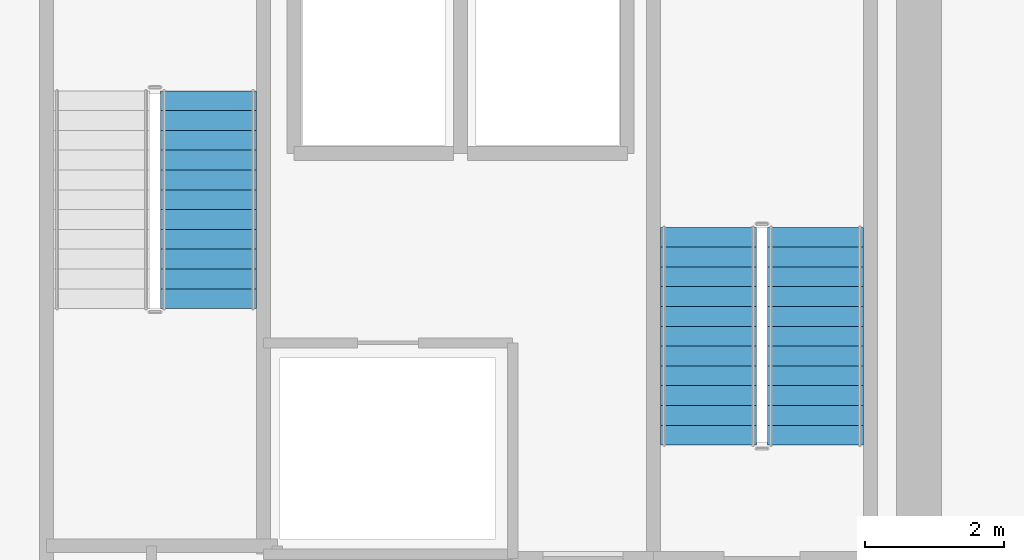
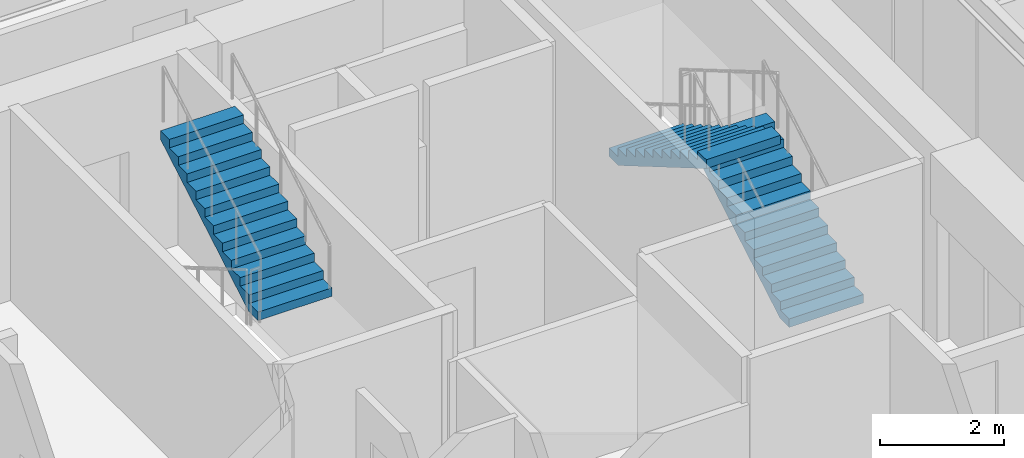
# One storey, part 18 of 23: 3 stair flights, 2 elements without a shape of their own.
"""IFC4 building model written with IfcOpenShell, lengths in metres."""

from ifc_helpers import new_model, si_unit, direction, frame, origin, place, context, subcontext, project, spatial, polyline, outline, extrude, material, type_object, element, aggregate, save


model = new_model("IFC4")

# Units and contexts
model_context = context("Model", 3, precision=1e-05, world=origin(), true_north=direction((0.0, 1.0)))
body_context = subcontext(model_context, "Body", "Model", "MODEL_VIEW")
ifc_project = project(units=[si_unit("LENGTHUNIT", "METRE"), si_unit("AREAUNIT", "SQUARE_METRE"), si_unit("VOLUMEUNIT", "CUBIC_METRE"), si_unit("PLANEANGLEUNIT", "RADIAN"), si_unit("MASSUNIT", "GRAM", prefix="KILO")], contexts=[model_context])

# Site, building, storey
site_placement = place(None, origin())
site = spatial("IfcSite", under=ifc_project, at=site_placement, CompositionType="ELEMENT")
building_placement = place(site_placement, origin())
building = spatial("IfcBuilding", under=site, at=building_placement, Name="Kovane Verandah Tower", CompositionType="ELEMENT")
storey_placement = place(building_placement, frame((0.0, 0.0, 55.60009765625)))
storey = spatial("IfcBuildingStorey", under=building, at=storey_placement, Name="L12", CompositionType="ELEMENT", Elevation=55.60009765625)

# Stair, stair flights
ifc_material = material(Name="Concrete C45/55", Category="concrete")
stair_type = type_object("IfcStairType", Name="ST-CORE-1380", PredefinedType="HALF_TURN_STAIR", material=ifc_material)
stair_1_placement = place(storey_placement, origin())
stair_1 = element("IfcStair", 1, at=stair_1_placement, inside=storey, type_object=stair_type, Name="L12 Exit Stair ST-02", PredefinedType="HALF_TURN_STAIR")
stair_flight_type = type_object("IfcStairFlightType", Name="STF-CORE-1380", PredefinedType="STRAIGHT", material=ifc_material)
stair_flight_1_placement = place(storey_placement, frame((49.510009765625, 29.25, 0.0), z_axis=(0.0, 0.0, 1.0), x_axis=(0.0, 1.0, 0.0)))
stair_flight_1 = element("IfcStairFlight", 2, at=stair_flight_1_placement, type_object=stair_flight_type, Name="ST-02 flight 1", NumberOfRisers=12, NumberOfTreads=11, PredefinedType="STRAIGHT", RiserHeight=0.166666667, TreadLength=0.285, context=body_context, shape_type="SweptSolid", body=[
    extrude(outline(polyline([(0.0, 0.0), (0.0, 0.166748046875), (0.284912109375, 0.166748046875), (0.284912109375, 0.333251953125), (0.570068359375, 0.333251953125), (0.570068359375, 0.5), (0.85498046875, 0.5), (0.85498046875, 0.666748046875), (1.139892578125, 0.666748046875), (1.139892578125, 0.833251953125), (1.425048828125, 0.833251953125), (1.425048828125, 1.0), (1.7099609375, 1.0), (1.7099609375, 1.166748046875), (1.9951171875, 1.166748046875), (1.9951171875, 1.333251953125), (2.280029296875, 1.333251953125), (2.280029296875, 1.5), (2.56494140625, 1.5), (2.56494140625, 1.666748046875), (2.85009765625, 1.666748046875), (2.85009765625, 1.833251953125), (3.135009765625, 1.833251953125), (3.135009765625, 2.0), (3.135009765625, 1.65966796875), (0.296875, 0.0), (0.0, 0.0)])), frame((0.0, 0.68994140625, 0.0), z_axis=(0.0, -1.0, 0.0), x_axis=(1.0, 0.0, 0.0)), (0.0, 0.0, 1.0), 1.3798828125),
])
stair_flight_2_placement = place(storey_placement, frame((47.969970703125, 32.385009765625, 2.0), z_axis=(0.0, 0.0, 1.0), x_axis=(0.0, -1.0, 0.0)))
stair_flight_2 = element("IfcStairFlight", 3, at=stair_flight_2_placement, type_object=stair_flight_type, Name="ST-02 flight 2", NumberOfRisers=12, NumberOfTreads=11, PredefinedType="STRAIGHT", RiserHeight=0.166666667, TreadLength=0.285, context=body_context, shape_type="SweptSolid", body=[
    extrude(outline(polyline([(0.0, 0.0), (0.0, 0.166748046875), (0.284912109375, 0.166748046875), (0.284912109375, 0.333251953125), (0.570068359375, 0.333251953125), (0.570068359375, 0.5), (0.85498046875, 0.5), (0.85498046875, 0.666748046875), (1.139892578125, 0.666748046875), (1.139892578125, 0.833251953125), (1.425048828125, 0.833251953125), (1.425048828125, 1.0), (1.7099609375, 1.0), (1.7099609375, 1.166748046875), (1.9951171875, 1.166748046875), (1.9951171875, 1.333251953125), (2.280029296875, 1.333251953125), (2.280029296875, 1.5), (2.56494140625, 1.5), (2.56494140625, 1.666748046875), (2.85009765625, 1.666748046875), (2.85009765625, 1.833251953125), (3.135009765625, 1.833251953125), (3.135009765625, 2.0), (3.135009765625, 1.65966796875), (0.296875, 0.0), (0.0, 0.0)])), frame((0.0, 0.68994140625, 0.0), z_axis=(0.0, -1.0, 0.0), x_axis=(1.0, 0.0, 0.0)), (0.0, 0.0, 1.0), 1.3798828125),
])
aggregate(stair_1, [stair_flight_1, stair_flight_2])

# Stair, stair flight
stair_2_placement = place(storey_placement, origin())
stair_2 = element("IfcStair", 4, at=stair_2_placement, inside=storey, type_object=stair_type, Name="L12 Exit Stair ST-03", PredefinedType="HALF_TURN_STAIR")
stair_flight_3_placement = place(storey_placement, frame((40.77001953125, 31.215087890625, 2.0), z_axis=(0.0, 0.0, 1.0), x_axis=(0.0, 1.0, 0.0)))
stair_flight_3 = element("IfcStairFlight", 5, at=stair_flight_3_placement, type_object=stair_flight_type, Name="ST-03 flight 2", NumberOfRisers=12, NumberOfTreads=11, PredefinedType="STRAIGHT", RiserHeight=0.166666667, TreadLength=0.285, context=body_context, shape_type="SweptSolid", body=[
    extrude(outline(polyline([(0.0, 0.0), (0.0, 0.166748046875), (0.284912109375, 0.166748046875), (0.284912109375, 0.333251953125), (0.570068359375, 0.333251953125), (0.570068359375, 0.5), (0.85498046875, 0.5), (0.85498046875, 0.666748046875), (1.139892578125, 0.666748046875), (1.139892578125, 0.833251953125), (1.425048828125, 0.833251953125), (1.425048828125, 1.0), (1.7099609375, 1.0), (1.7099609375, 1.166748046875), (1.9951171875, 1.166748046875), (1.9951171875, 1.333251953125), (2.280029296875, 1.333251953125), (2.280029296875, 1.5), (2.56494140625, 1.5), (2.56494140625, 1.666748046875), (2.85009765625, 1.666748046875), (2.85009765625, 1.833251953125), (3.135009765625, 1.833251953125), (3.135009765625, 2.0), (3.135009765625, 1.65966796875), (0.296875, 0.0), (0.0, 0.0)])), frame((0.0, 0.68994140625, 0.0), z_axis=(0.0, -1.0, 0.0), x_axis=(1.0, 0.0, 0.0)), (0.0, 0.0, 1.0), 1.3798828125),
])
aggregate(stair_2, [stair_flight_3])

save(model, "model.ifc")
